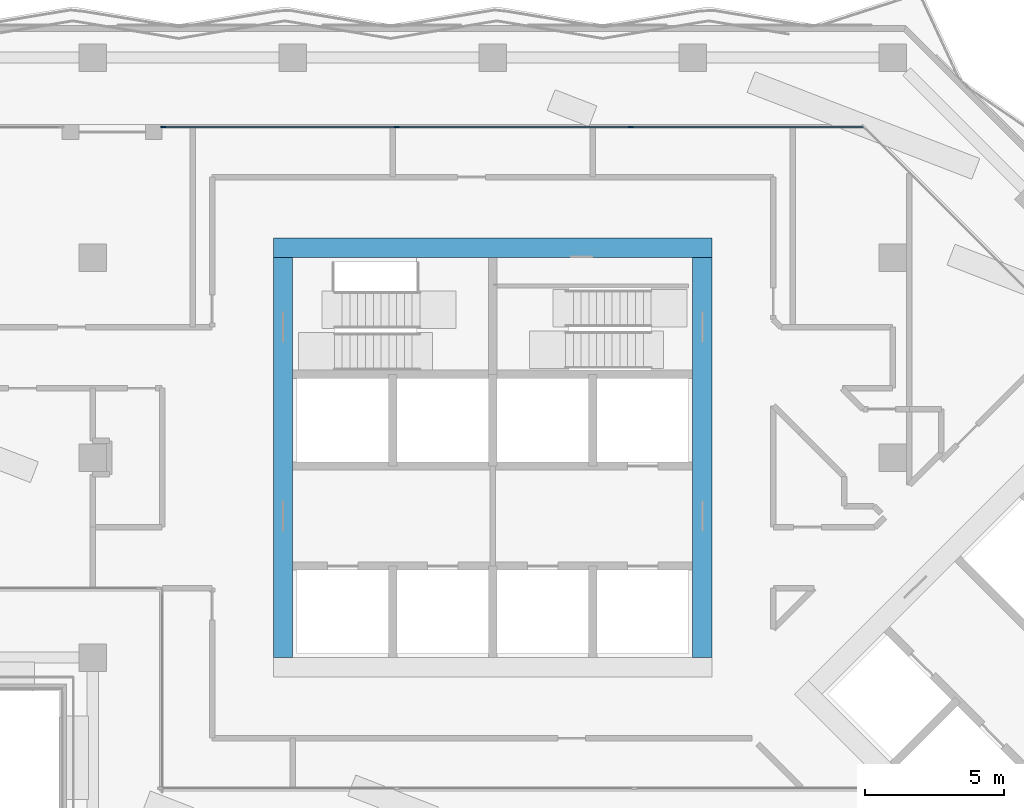
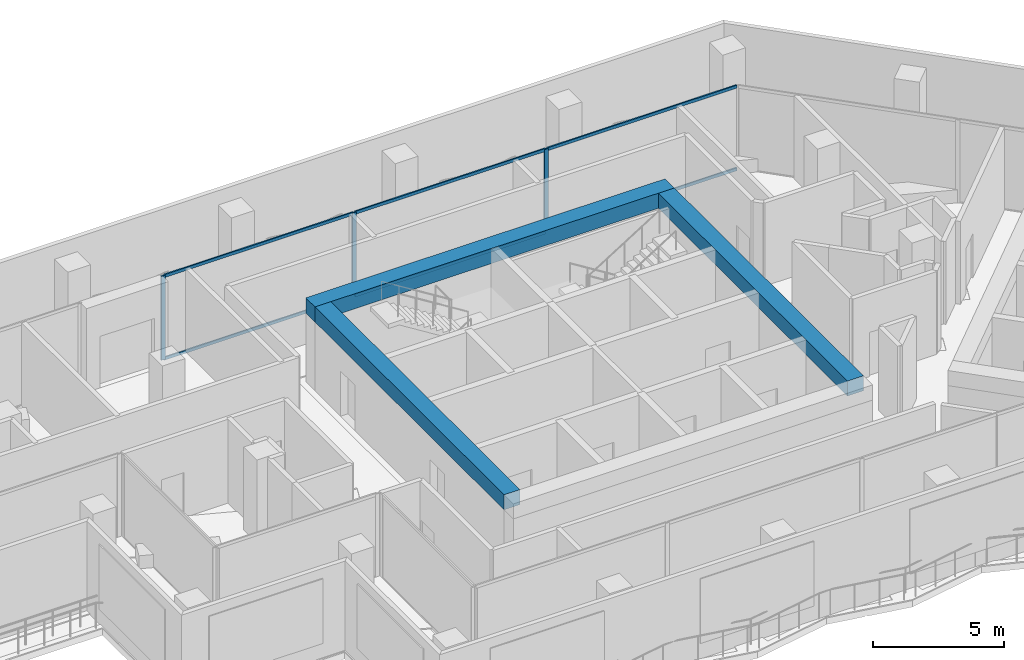
# One storey, part 5 of 23: 9 members, 3 beams, 1 element without a shape of its own.
"""IFC4 building model written with IfcOpenShell, lengths in metres."""

from ifc_helpers import new_model, si_unit, direction, frame, origin, origin_2d, place, context, subcontext, project, spatial, rectangle, extrude, material, material_profile, profile_set, type_object, element, aggregate, save


model = new_model("IFC4")

# Units and contexts
model_context = context("Model", 3, precision=1e-05, world=origin(), true_north=direction((0.0, 1.0)))
body_context = subcontext(model_context, "Body", "Model", "MODEL_VIEW")
ifc_project = project(units=[si_unit("LENGTHUNIT", "METRE"), si_unit("AREAUNIT", "SQUARE_METRE"), si_unit("VOLUMEUNIT", "CUBIC_METRE"), si_unit("PLANEANGLEUNIT", "RADIAN"), si_unit("MASSUNIT", "GRAM", prefix="KILO")], contexts=[model_context])

# Site, building, storey
site_placement = place(None, origin())
site = spatial("IfcSite", under=ifc_project, at=site_placement, CompositionType="ELEMENT")
building_placement = place(site_placement, origin())
building = spatial("IfcBuilding", under=site, at=building_placement, Name="Windrow Commons", CompositionType="ELEMENT")
storey_placement = place(building_placement, frame((0.0, 0.0, 122.0)))
storey = spatial("IfcBuildingStorey", under=building, at=storey_placement, Name="L33", CompositionType="ELEMENT", Elevation=122.0)

# Curtain wall, members
ifc_material_1 = material(Name="Clear laminated glass in Aluminium 6063-T6 anodised frame", Category="aluminium")
curtain_wall_type = type_object("IfcCurtainWallType", Name="Curtain wall CW2M sky lounge mid", PredefinedType="USERDEFINED", material=ifc_material_1)
curtain_wall_placement = place(storey_placement, origin())
curtain_wall = element("IfcCurtainWall", 1, at=curtain_wall_placement, inside=storey, type_object=curtain_wall_type, Name="Curtain wall CW2M L33 4.1", ObjectType="UNITISED", PredefinedType="USERDEFINED")
ifc_material_2 = material(Name="Aluminium 6063-T6", Category="aluminium")
ifc_material_profile_1 = material_profile(ifc_material_2, rectangle(XDim=0.06, YDim=0.18, at=origin_2d()))
ifc_profile_set_1 = profile_set([ifc_material_profile_1], Name="Aluminium 6063-T6")
member_type_1 = type_object("IfcMemberType", Name="CW2M mullion 60x180", PredefinedType="MULLION", material=ifc_profile_set_1)
member_1_placement = place(storey_placement, frame((69.7716, 69.5, 0.0), z_axis=(0.0, 0.0, 1.0), x_axis=(0.0, -1.0, 0.0)))
member_1 = element("IfcMember", 2, at=member_1_placement, type_object=member_type_1, Name="CW2M mullion 2", PredefinedType="MULLION", context=body_context, shape_type="SweptSolid", body=[
    extrude(rectangle(XDim=0.06, YDim=0.18, at=origin_2d()), origin(), (0.0, 0.0, 1.0), 3.9),
])
member_2_placement = place(storey_placement, frame((61.3372, 69.5, 0.0), z_axis=(0.0, 0.0, 1.0), x_axis=(0.0, -1.0, 0.0)))
member_2 = element("IfcMember", 3, at=member_2_placement, type_object=member_type_1, Name="CW2M mullion 3", PredefinedType="MULLION", context=body_context, shape_type="SweptSolid", body=[
    extrude(rectangle(XDim=0.06, YDim=0.18, at=origin_2d()), origin(), (0.0, 0.0, 1.0), 3.9),
])
member_3_placement = place(storey_placement, frame((52.9329, 69.5, 0.0), z_axis=(0.0, 0.0, 1.0), x_axis=(0.0, -1.0, 0.0)))
member_3 = element("IfcMember", 4, at=member_3_placement, type_object=member_type_1, Name="CW2M mullion 4", PredefinedType="MULLION", context=body_context, shape_type="SweptSolid", body=[
    extrude(rectangle(XDim=0.06, YDim=0.18, at=origin_2d()), origin(), (0.0, 0.0, 1.0), 3.9),
])
ifc_material_3 = material(Name="Aluminium 6063-T6", Category="aluminium")
ifc_material_profile_2 = material_profile(ifc_material_3, rectangle(XDim=0.06, YDim=0.14, at=origin_2d()))
ifc_profile_set_2 = profile_set([ifc_material_profile_2], Name="Aluminium 6063-T6")
member_type_2 = type_object("IfcMemberType", Name="CW2M transom 60x140", PredefinedType="USERDEFINED", material=ifc_profile_set_2)
member_4_placement = place(storey_placement, frame((78.1459, 69.5, 0.03), z_axis=(-1.0, 0.0, 0.0), x_axis=(0.0, -1.0, 0.0)))
member_4 = element("IfcMember", 5, at=member_4_placement, type_object=member_type_2, Name="CW2M transom 1.1", ObjectType="TRANSOM", PredefinedType="USERDEFINED", context=body_context, shape_type="SweptSolid", body=[
    extrude(rectangle(XDim=0.06, YDim=0.14, at=origin_2d()), origin(), (0.0, 0.0, 1.0), 8.3443),
])
member_5_placement = place(storey_placement, frame((78.1459, 69.5, 3.87), z_axis=(-1.0, 0.0, 0.0), x_axis=(0.0, -1.0, 0.0)))
member_5 = element("IfcMember", 6, at=member_5_placement, type_object=member_type_2, Name="CW2M transom 1.2", ObjectType="TRANSOM", PredefinedType="USERDEFINED", context=body_context, shape_type="SweptSolid", body=[
    extrude(rectangle(XDim=0.06, YDim=0.14, at=origin_2d()), origin(), (0.0, 0.0, 1.0), 8.3443),
])
member_6_placement = place(storey_placement, frame((69.7416, 69.5, 0.03), z_axis=(-1.0, 0.0, 0.0), x_axis=(0.0, -1.0, 0.0)))
member_6 = element("IfcMember", 7, at=member_6_placement, type_object=member_type_2, Name="CW2M transom 2.1", ObjectType="TRANSOM", PredefinedType="USERDEFINED", context=body_context, shape_type="SweptSolid", body=[
    extrude(rectangle(XDim=0.06, YDim=0.14, at=origin_2d()), origin(), (0.0, 0.0, 1.0), 8.3744),
])
member_7_placement = place(storey_placement, frame((69.7416, 69.5, 3.87), z_axis=(-1.0, 0.0, 0.0), x_axis=(0.0, -1.0, 0.0)))
member_7 = element("IfcMember", 8, at=member_7_placement, type_object=member_type_2, Name="CW2M transom 2.2", ObjectType="TRANSOM", PredefinedType="USERDEFINED", context=body_context, shape_type="SweptSolid", body=[
    extrude(rectangle(XDim=0.06, YDim=0.14, at=origin_2d()), origin(), (0.0, 0.0, 1.0), 8.3744),
])
member_8_placement = place(storey_placement, frame((61.3072, 69.5, 0.03), z_axis=(-1.0, 0.0, 0.0), x_axis=(0.0, -1.0, 0.0)))
member_8 = element("IfcMember", 9, at=member_8_placement, type_object=member_type_2, Name="CW2M transom 3.1", ObjectType="TRANSOM", PredefinedType="USERDEFINED", context=body_context, shape_type="SweptSolid", body=[
    extrude(rectangle(XDim=0.06, YDim=0.14, at=origin_2d()), origin(), (0.0, 0.0, 1.0), 8.3443),
])
member_9_placement = place(storey_placement, frame((61.3072, 69.5, 3.87), z_axis=(-1.0, 0.0, 0.0), x_axis=(0.0, -1.0, 0.0)))
member_9 = element("IfcMember", 10, at=member_9_placement, type_object=member_type_2, Name="CW2M transom 3.2", ObjectType="TRANSOM", PredefinedType="USERDEFINED", context=body_context, shape_type="SweptSolid", body=[
    extrude(rectangle(XDim=0.06, YDim=0.14, at=origin_2d()), origin(), (0.0, 0.0, 1.0), 8.3443),
])
aggregate(curtain_wall, [member_1, member_2, member_3, member_4, member_5, member_6, member_7, member_8, member_9])

# Beams
ifc_material_4 = material(Name="Concrete C50/60", Category="concrete")
ifc_material_profile_3 = material_profile(ifc_material_4, rectangle(XDim=0.7, YDim=0.7, at=origin_2d()))
ifc_profile_set_3 = profile_set([ifc_material_profile_3], Name="Concrete C50/60")
beam_type = type_object("IfcBeamType", Name="RC COUPLING BEAM 700x700 C50/60", PredefinedType="LINTEL", material=ifc_profile_set_3)
beam_placement = place(storey_placement, frame((56.9, 65.15, 3.55), z_axis=(1.0, 0.0, 0.0), x_axis=(0.0, 1.0, 0.0)))
element("IfcBeam", 11, at=beam_placement, inside=storey, type_object=beam_type, Name="Core A coupling beam outer-N", PredefinedType="LINTEL", context=body_context, shape_type="SweptSolid", body=[
    extrude(rectangle(XDim=0.7, YDim=0.7, at=origin_2d()), origin(), (0.0, 0.0, 1.0), 15.8),
])
for number, where, z_axis, x_axis, name in (
    (12, (57.25, 50.4, 3.55), (0.0, 1.0, 0.0), (-1.0, 0.0, 0.0), "Core A coupling beam outer-W"),
    (13, (72.35, 50.4, 3.55), (0.0, 1.0, 0.0), (-1.0, 0.0, 0.0), "Core A coupling beam outer-E"),
):
    element("IfcBeam", number, at=place(storey_placement, frame(where, z_axis=z_axis, x_axis=x_axis)), inside=storey, type_object=beam_type, Name=name, PredefinedType="LINTEL", context=body_context, shape_type="SweptSolid", body=[
        extrude(rectangle(XDim=0.7, YDim=0.7, at=origin_2d()), origin(), (0.0, 0.0, 1.0), 14.4),
    ])

save(model, "model.ifc")
